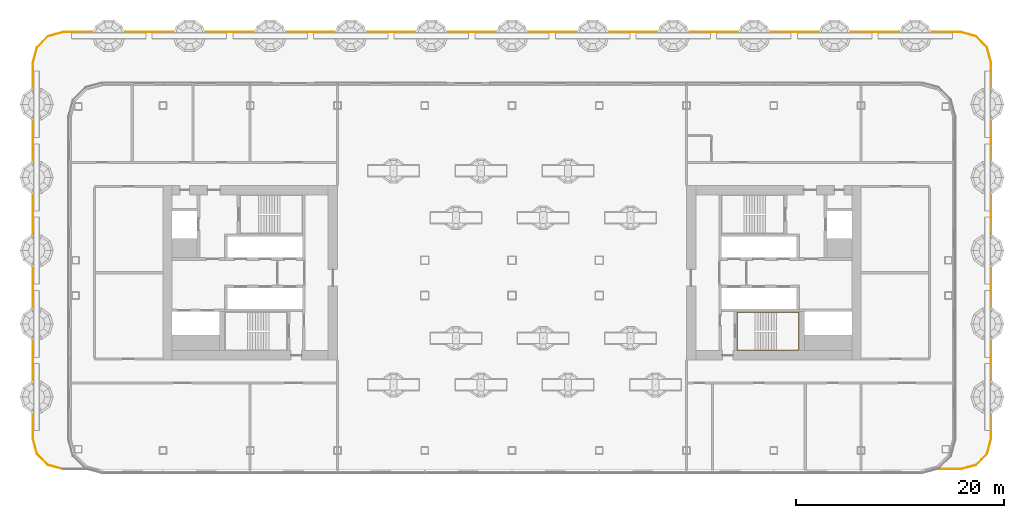
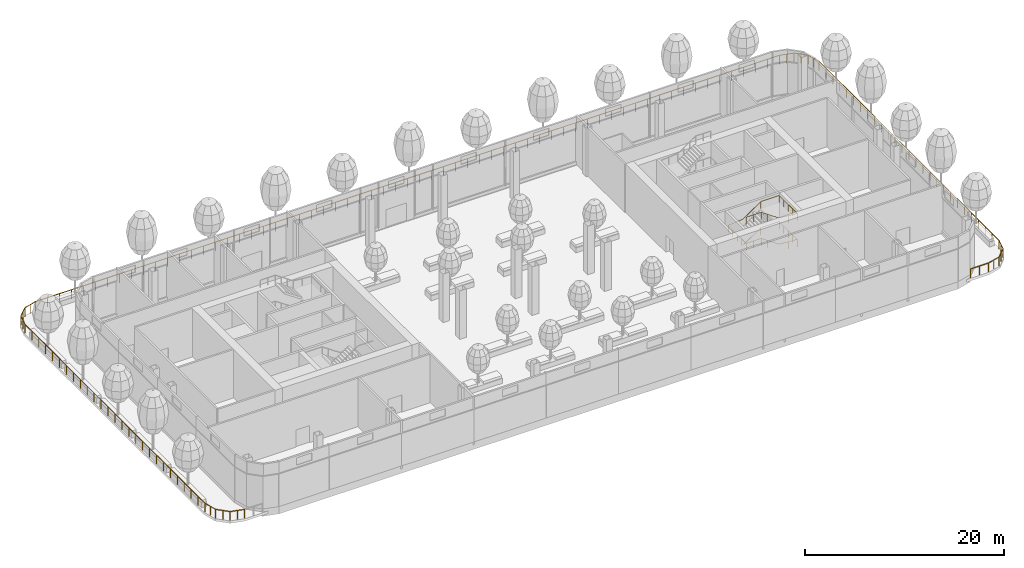
# One storey, part 34 of 43: 2 railings.
"""IFC4 building model written with IfcOpenShell, lengths in metres."""

from ifc_helpers import new_model, si_unit, direction, frame, origin, origin_2d, place, context, subcontext, project, spatial, circle, extrude, material, type_object, element, save


model = new_model("IFC4")

# Units and contexts
model_context = context("Model", 3, precision=1e-05, world=origin(), true_north=direction((0.0, 1.0)))
body_context = subcontext(model_context, "Body", "Model", "MODEL_VIEW")
ifc_project = project(units=[si_unit("LENGTHUNIT", "METRE"), si_unit("AREAUNIT", "SQUARE_METRE"), si_unit("VOLUMEUNIT", "CUBIC_METRE"), si_unit("PLANEANGLEUNIT", "RADIAN"), si_unit("MASSUNIT", "GRAM", prefix="KILO")], contexts=[model_context])

# Site, building, storey
site_placement = place(None, origin())
site = spatial("IfcSite", under=ifc_project, at=site_placement, CompositionType="ELEMENT")
building_placement = place(site_placement, origin())
building = spatial("IfcBuilding", under=site, at=building_placement, Name="Hakoniwa Tower and Hamabe Station Hall", CompositionType="ELEMENT")
storey_placement = place(building_placement, frame((0.0, 0.0, 124.60009765625)))
storey = spatial("IfcBuildingStorey", under=building, at=storey_placement, Name="L35", CompositionType="ELEMENT", Elevation=124.60009765625)

# Railings
ifc_material_1 = material(Name="Stainless steel SUS304", Category="steel")
railing_type_1 = type_object("IfcRailingType", Name="STAIR HANDRAIL 900", PredefinedType="HANDRAIL", material=ifc_material_1)
railing_1_placement = place(storey_placement, frame((23.39990234375, -3.81005859375, 0.177734375)))
element("IfcRailing", 1, at=railing_1_placement, inside=storey, type_object=railing_type_1, Name="Handrail ST-4 L35 1", PredefinedType="HANDRAIL", context=body_context, shape_type="SweptSolid", body=[
    extrude(circle(Radius=0.02392578125, at=origin_2d()), frame((0.0, 0.0, 0.8759765625), z_axis=(0.82550921652, 0.0, 0.564388636881), x_axis=(0.0, 1.0, 0.0)), (0.0, 0.0, 1.0), 2.519775390625),
    extrude(circle(Radius=0.02392578125, at=origin_2d()), frame((2.080078125, 0.0, 2.2978515625), z_axis=(1.0, 0.0, 0.0), x_axis=(0.0, 1.0, 0.0)), (0.0, 0.0, 1.0), 2.110107421875),
    extrude(circle(Radius=0.02392578125, at=origin_2d()), frame((4.190185546875, 0.0, 2.2978515625), z_axis=(0.0, -1.0, 0.0), x_axis=(1.0, 0.0, 0.0)), (0.0, 0.0, 1.0), 3.6298828125),
    extrude(circle(Radius=0.02392578125, at=origin_2d()), frame((4.190185546875, -3.6298828125, 2.2978515625), z_axis=(-0.996471417081, 0.0, 0.083932800143), x_axis=(0.0, -1.0, 0.0)), (0.0, 0.0, 1.0), 2.11767578125),
    extrude(circle(Radius=0.02392578125, at=origin_2d()), frame((2.080078125, -3.6298828125, 2.4755859375), z_axis=(-0.825464074169, 0.0, 0.564454659168), x_axis=(0.0, -1.0, 0.0)), (0.0, 0.0, 1.0), 2.519775390625),
    extrude(circle(Radius=0.02392578125, at=origin_2d()), frame((0.0, -3.6298828125, 3.89794921875), z_axis=(-1.0, 0.0, 0.0), x_axis=(0.0, -1.0, 0.0)), (0.0, 0.0, 1.0), 1.739990234375),
    extrude(circle(Radius=0.02392578125, at=origin_2d()), frame((-1.739990234375, -3.6298828125, 3.89794921875), z_axis=(0.0, 1.0, 0.0), x_axis=(-1.0, 0.0, 0.0)), (0.0, 0.0, 1.0), 3.6298828125),
    extrude(circle(Radius=0.02392578125, at=origin_2d()), frame((-1.739990234375, 0.0, 3.89794921875), z_axis=(0.994823492686, 0.0, 0.10161800234), x_axis=(0.0, 1.0, 0.0)), (0.0, 0.0, 1.0), 1.7490234375),
    extrude(circle(Radius=0.02392578125, at=origin_2d()), frame((0.0, 0.0, 4.07568359375), z_axis=(0.82550921652, 0.0, 0.564388636881), x_axis=(0.0, 1.0, 0.0)), (0.0, 0.0, 1.0), 2.519775390625),
    extrude(circle(Radius=0.02392578125, at=origin_2d()), frame((2.080078125, 0.0, 5.498046875), z_axis=(1.0, 0.0, 0.0), x_axis=(0.0, 1.0, 0.0)), (0.0, 0.0, 1.0), 2.110107421875),
    extrude(circle(Radius=0.02392578125, at=origin_2d()), frame((4.190185546875, 0.0, 5.498046875), z_axis=(0.0, -1.0, 0.0), x_axis=(1.0, 0.0, 0.0)), (0.0, 0.0, 1.0), 3.6298828125),
    extrude(circle(Radius=0.02392578125, at=origin_2d()), frame((4.190185546875, -3.6298828125, 5.498046875), z_axis=(-0.996461767938, 0.0, 0.084047278587), x_axis=(0.0, -1.0, 0.0)), (0.0, 0.0, 1.0), 2.11767578125),
    extrude(circle(Radius=0.02392578125, at=origin_2d()), frame((2.080078125, -3.6298828125, 5.67578125), z_axis=(-0.82550921652, 0.0, 0.564388636881), x_axis=(0.0, -1.0, 0.0)), (0.0, 0.0, 1.0), 2.519775390625),
    extrude(circle(Radius=0.02392578125, at=origin_2d()), frame((0.0, -3.6298828125, 7.09814453125), z_axis=(-1.0, 0.0, 0.0), x_axis=(0.0, -1.0, 0.0)), (0.0, 0.0, 1.0), 1.739990234375),
    extrude(circle(Radius=0.02099609375, at=origin_2d()), origin(), (0.0, 0.0, 1.0), 0.851806640625),
    extrude(circle(Radius=0.02099609375, at=origin_2d()), frame((0.693359375, 0.0, 0.47412109375)), (0.0, 0.0, 1.0), 0.851806640625),
    extrude(circle(Radius=0.02099609375, at=origin_2d()), frame((1.38671875, 0.0, 0.947998046875)), (0.0, 0.0, 1.0), 0.851806640625),
    extrude(circle(Radius=0.02099609375, at=origin_2d()), frame((2.080078125, 0.0, 1.422119140625)), (0.0, 0.0, 1.0), 0.851806640625),
    extrude(circle(Radius=0.02099609375, at=origin_2d()), frame((3.13525390625, 0.0, 1.422119140625)), (0.0, 0.0, 1.0), 0.851806640625),
    extrude(circle(Radius=0.02099609375, at=origin_2d()), frame((4.190185546875, 0.0, 1.422119140625)), (0.0, 0.0, 1.0), 0.851806640625),
    extrude(circle(Radius=0.02099609375, at=origin_2d()), frame((4.190185546875, -0.907470703125, 1.422119140625)), (0.0, 0.0, 1.0), 0.851806640625),
    extrude(circle(Radius=0.02099609375, at=origin_2d()), frame((4.190185546875, -1.81494140625, 1.422119140625)), (0.0, 0.0, 1.0), 0.851806640625),
    extrude(circle(Radius=0.02099609375, at=origin_2d()), frame((4.190185546875, -2.722412109375, 1.422119140625)), (0.0, 0.0, 1.0), 0.851806640625),
    extrude(circle(Radius=0.02099609375, at=origin_2d()), frame((4.190185546875, -3.6298828125, 1.422119140625)), (0.0, 0.0, 1.0), 0.851806640625),
    extrude(circle(Radius=0.02099609375, at=origin_2d()), frame((3.13525390625, -3.6298828125, 1.510986328125)), (0.0, 0.0, 1.0), 0.851806640625),
    extrude(circle(Radius=0.02099609375, at=origin_2d()), frame((2.080078125, -3.6298828125, 1.599853515625)), (0.0, 0.0, 1.0), 0.851806640625),
    extrude(circle(Radius=0.02099609375, at=origin_2d()), frame((1.38671875, -3.6298828125, 2.073974609375)), (0.0, 0.0, 1.0), 0.851806640625),
    extrude(circle(Radius=0.02099609375, at=origin_2d()), frame((0.693359375, -3.6298828125, 2.548095703125)), (0.0, 0.0, 1.0), 0.851806640625),
    extrude(circle(Radius=0.02099609375, at=origin_2d()), frame((0.0, -3.6298828125, 3.022216796875)), (0.0, 0.0, 1.0), 0.851806640625),
    extrude(circle(Radius=0.02099609375, at=origin_2d()), frame((-0.8701171875, -3.6298828125, 3.022216796875)), (0.0, 0.0, 1.0), 0.851806640625),
    extrude(circle(Radius=0.02099609375, at=origin_2d()), frame((-1.739990234375, -3.6298828125, 3.022216796875)), (0.0, 0.0, 1.0), 0.851806640625),
    extrude(circle(Radius=0.02099609375, at=origin_2d()), frame((-1.739990234375, -2.722412109375, 3.022216796875)), (0.0, 0.0, 1.0), 0.851806640625),
    extrude(circle(Radius=0.02099609375, at=origin_2d()), frame((-1.739990234375, -1.81494140625, 3.022216796875)), (0.0, 0.0, 1.0), 0.851806640625),
    extrude(circle(Radius=0.02099609375, at=origin_2d()), frame((-1.739990234375, -0.907470703125, 3.022216796875)), (0.0, 0.0, 1.0), 0.851806640625),
    extrude(circle(Radius=0.02099609375, at=origin_2d()), frame((-1.739990234375, 0.0, 3.022216796875)), (0.0, 0.0, 1.0), 0.851806640625),
    extrude(circle(Radius=0.02099609375, at=origin_2d()), frame((-0.8701171875, 0.0, 3.111083984375)), (0.0, 0.0, 1.0), 0.851806640625),
    extrude(circle(Radius=0.02099609375, at=origin_2d()), frame((0.0, 0.0, 3.199951171875)), (0.0, 0.0, 1.0), 0.851806640625),
    extrude(circle(Radius=0.02099609375, at=origin_2d()), frame((0.693359375, 0.0, 3.674072265625)), (0.0, 0.0, 1.0), 0.851806640625),
    extrude(circle(Radius=0.02099609375, at=origin_2d()), frame((1.38671875, 0.0, 4.14794921875)), (0.0, 0.0, 1.0), 0.851806640625),
    extrude(circle(Radius=0.02099609375, at=origin_2d()), frame((2.080078125, 0.0, 4.6220703125)), (0.0, 0.0, 1.0), 0.851806640625),
    extrude(circle(Radius=0.02099609375, at=origin_2d()), frame((3.13525390625, 0.0, 4.6220703125)), (0.0, 0.0, 1.0), 0.851806640625),
    extrude(circle(Radius=0.02099609375, at=origin_2d()), frame((4.190185546875, 0.0, 4.6220703125)), (0.0, 0.0, 1.0), 0.851806640625),
    extrude(circle(Radius=0.02099609375, at=origin_2d()), frame((4.190185546875, -0.907470703125, 4.6220703125)), (0.0, 0.0, 1.0), 0.851806640625),
    extrude(circle(Radius=0.02099609375, at=origin_2d()), frame((4.190185546875, -1.81494140625, 4.6220703125)), (0.0, 0.0, 1.0), 0.851806640625),
    extrude(circle(Radius=0.02099609375, at=origin_2d()), frame((4.190185546875, -2.722412109375, 4.6220703125)), (0.0, 0.0, 1.0), 0.851806640625),
    extrude(circle(Radius=0.02099609375, at=origin_2d()), frame((4.190185546875, -3.6298828125, 4.6220703125)), (0.0, 0.0, 1.0), 0.851806640625),
    extrude(circle(Radius=0.02099609375, at=origin_2d()), frame((3.13525390625, -3.6298828125, 4.7109375)), (0.0, 0.0, 1.0), 0.851806640625),
    extrude(circle(Radius=0.02099609375, at=origin_2d()), frame((2.080078125, -3.6298828125, 4.800048828125)), (0.0, 0.0, 1.0), 0.851806640625),
    extrude(circle(Radius=0.02099609375, at=origin_2d()), frame((1.38671875, -3.6298828125, 5.274169921875)), (0.0, 0.0, 1.0), 0.851806640625),
    extrude(circle(Radius=0.02099609375, at=origin_2d()), frame((0.693359375, -3.6298828125, 5.748046875)), (0.0, 0.0, 1.0), 0.851806640625),
    extrude(circle(Radius=0.02099609375, at=origin_2d()), frame((0.0, -3.6298828125, 6.22216796875)), (0.0, 0.0, 1.0), 0.851806640625),
    extrude(circle(Radius=0.02099609375, at=origin_2d()), frame((-0.8701171875, -3.6298828125, 6.22216796875)), (0.0, 0.0, 1.0), 0.851806640625),
    extrude(circle(Radius=0.02099609375, at=origin_2d()), frame((-1.739990234375, -3.6298828125, 6.22216796875)), (0.0, 0.0, 1.0), 0.851806640625),
])
ifc_material_2 = material(Name="Stainless steel and laminated glass", Category="steel")
railing_type_2 = type_object("IfcRailingType", Name="TERRACE BALUSTRADE 1100", PredefinedType="BALUSTRADE", material=ifc_material_2)
railing_2_placement = place(storey_placement, frame((41.099853515625, -18.90087890625, 0.0)))
element("IfcRailing", 2, at=railing_2_placement, inside=storey, type_object=railing_type_2, Name="Terrace balustrade", PredefinedType="BALUSTRADE", context=body_context, shape_type="SweptSolid", body=[
    extrude(circle(Radius=0.02392578125, at=origin_2d()), frame((0.0, 0.0, 1.076171875), z_axis=(1.0, 0.0, 0.0), x_axis=(0.0, 1.0, 0.0)), (0.0, 0.0, 1.0), 2.087158203125),
    extrude(circle(Radius=0.02392578125, at=origin_2d()), frame((2.087158203125, 0.0, 1.076171875), z_axis=(0.965934369252, 0.258787160227, 0.0), x_axis=(-0.258787160227, 0.965934369252, 0.0)), (0.0, 0.0, 1.0), 1.51318359375),
    extrude(circle(Radius=0.02392578125, at=origin_2d()), frame((3.548828125, 0.3916015625, 1.076171875), z_axis=(0.707106781187, 0.707106781187, 0.0), x_axis=(-0.707106781187, 0.707106781187, 0.0)), (0.0, 0.0, 1.0), 1.499755859375),
    extrude(circle(Radius=0.02392578125, at=origin_2d()), frame((4.609375, 1.4521484375, 1.076171875), z_axis=(0.258897340379, 0.965904843732, 0.0), x_axis=(-0.965904843732, 0.258897340379, 0.0)), (0.0, 0.0, 1.0), 1.513427734375),
    extrude(circle(Radius=0.02392578125, at=origin_2d()), frame((5.001220703125, 2.9140625, 1.076171875), z_axis=(0.0, 1.0, 0.0), x_axis=(-1.0, 0.0, 0.0)), (0.0, 0.0, 1.0), 36.2236328125),
    extrude(circle(Radius=0.02392578125, at=origin_2d()), frame((5.001220703125, 39.1376953125, 1.076171875), z_axis=(-0.258897340379, 0.965904843732, 0.0), x_axis=(-0.965904843732, -0.258897340379, 0.0)), (0.0, 0.0, 1.0), 1.513427734375),
    extrude(circle(Radius=0.02392578125, at=origin_2d()), frame((4.609375, 40.599609375, 1.076171875), z_axis=(-0.707106781187, 0.707106781187, 0.0), x_axis=(-0.707106781187, -0.707106781187, 0.0)), (0.0, 0.0, 1.0), 1.499755859375),
    extrude(circle(Radius=0.02392578125, at=origin_2d()), frame((3.548828125, 41.66015625, 1.076171875), z_axis=(-0.965945171702, 0.258746836241, 0.0), x_axis=(-0.258746836241, -0.965945171702, 0.0)), (0.0, 0.0, 1.0), 1.513427734375),
    extrude(circle(Radius=0.02392578125, at=origin_2d()), frame((2.0869140625, 42.0517578125, 1.076171875), z_axis=(-1.0, 0.0, 0.0), x_axis=(0.0, -1.0, 0.0)), (0.0, 0.0, 1.0), 86.37353515625),
    extrude(circle(Radius=0.02392578125, at=origin_2d()), frame((-84.28662109375, 42.0517578125, 1.076171875), z_axis=(-0.965945171702, -0.258746836241, 0.0), x_axis=(0.258746836241, -0.965945171702, 0.0)), (0.0, 0.0, 1.0), 1.513427734375),
    extrude(circle(Radius=0.02392578125, at=origin_2d()), frame((-85.74853515625, 41.66015625, 1.076171875), z_axis=(-0.707106781187, -0.707106781187, 0.0), x_axis=(0.707106781187, -0.707106781187, 0.0)), (0.0, 0.0, 1.0), 1.499755859375),
    extrude(circle(Radius=0.02392578125, at=origin_2d()), frame((-86.80908203125, 40.599609375, 1.076171875), z_axis=(-0.258897340379, -0.965904843732, 0.0), x_axis=(0.965904843732, -0.258897340379, 0.0)), (0.0, 0.0, 1.0), 1.513427734375),
    extrude(circle(Radius=0.02392578125, at=origin_2d()), frame((-87.200927734375, 39.1376953125, 1.076171875), z_axis=(0.0, -1.0, 0.0), x_axis=(1.0, 0.0, 0.0)), (0.0, 0.0, 1.0), 36.2236328125),
    extrude(circle(Radius=0.02392578125, at=origin_2d()), frame((-87.200927734375, 2.9140625, 1.076171875), z_axis=(0.258857008426, -0.965915653248, 0.0), x_axis=(0.965915653248, 0.258857008426, 0.0)), (0.0, 0.0, 1.0), 1.513671875),
    extrude(circle(Radius=0.02392578125, at=origin_2d()), frame((-86.80908203125, 1.451904296875, 1.076171875), z_axis=(0.707188174772, -0.707025378231, 0.0), x_axis=(0.707025378231, 0.707188174772, 0.0)), (0.0, 0.0, 1.0), 1.499755859375),
    extrude(circle(Radius=0.02392578125, at=origin_2d()), frame((-85.74853515625, 0.3916015625, 1.076171875), z_axis=(0.965945171702, -0.258746836241, 0.0), x_axis=(0.258746836241, 0.965945171702, 0.0)), (0.0, 0.0, 1.0), 1.513427734375),
    extrude(circle(Radius=0.02099609375, at=origin_2d()), origin(), (0.0, 0.0, 1.0), 1.052001953125),
    extrude(circle(Radius=0.02099609375, at=origin_2d()), frame((1.04345703125, 0.0, 0.0)), (0.0, 0.0, 1.0), 1.052001953125),
    extrude(circle(Radius=0.02099609375, at=origin_2d()), frame((2.087158203125, 0.0, 0.0)), (0.0, 0.0, 1.0), 1.052001953125),
    extrude(circle(Radius=0.02099609375, at=origin_2d()), frame((2.81787109375, 0.19580078125, 0.0)), (0.0, 0.0, 1.0), 1.052001953125),
    extrude(circle(Radius=0.02099609375, at=origin_2d()), frame((3.548828125, 0.3916015625, 0.0)), (0.0, 0.0, 1.0), 1.052001953125),
    extrude(circle(Radius=0.02099609375, at=origin_2d()), frame((4.0791015625, 0.921875, 0.0)), (0.0, 0.0, 1.0), 1.052001953125),
    extrude(circle(Radius=0.02099609375, at=origin_2d()), frame((4.609375, 1.4521484375, 0.0)), (0.0, 0.0, 1.0), 1.052001953125),
    extrude(circle(Radius=0.02099609375, at=origin_2d()), frame((4.80517578125, 2.18310546875, 0.0)), (0.0, 0.0, 1.0), 1.052001953125),
    extrude(circle(Radius=0.02099609375, at=origin_2d()), frame((5.001220703125, 2.9140625, 0.0)), (0.0, 0.0, 1.0), 1.052001953125),
    extrude(circle(Radius=0.02099609375, at=origin_2d()), frame((5.001220703125, 4.307373046875, 0.0)), (0.0, 0.0, 1.0), 1.052001953125),
    extrude(circle(Radius=0.02099609375, at=origin_2d()), frame((5.001220703125, 5.700439453125, 0.0)), (0.0, 0.0, 1.0), 1.052001953125),
    extrude(circle(Radius=0.02099609375, at=origin_2d()), frame((5.001220703125, 7.09375, 0.0)), (0.0, 0.0, 1.0), 1.052001953125),
    extrude(circle(Radius=0.02099609375, at=origin_2d()), frame((5.001220703125, 8.48681640625, 0.0)), (0.0, 0.0, 1.0), 1.052001953125),
    extrude(circle(Radius=0.02099609375, at=origin_2d()), frame((5.001220703125, 9.880126953125, 0.0)), (0.0, 0.0, 1.0), 1.052001953125),
    extrude(circle(Radius=0.02099609375, at=origin_2d()), frame((5.001220703125, 11.2734375, 0.0)), (0.0, 0.0, 1.0), 1.052001953125),
    extrude(circle(Radius=0.02099609375, at=origin_2d()), frame((5.001220703125, 12.66650390625, 0.0)), (0.0, 0.0, 1.0), 1.052001953125),
    extrude(circle(Radius=0.02099609375, at=origin_2d()), frame((5.001220703125, 14.059814453125, 0.0)), (0.0, 0.0, 1.0), 1.052001953125),
    extrude(circle(Radius=0.02099609375, at=origin_2d()), frame((5.001220703125, 15.453125, 0.0)), (0.0, 0.0, 1.0), 1.052001953125),
    extrude(circle(Radius=0.02099609375, at=origin_2d()), frame((5.001220703125, 16.84619140625, 0.0)), (0.0, 0.0, 1.0), 1.052001953125),
    extrude(circle(Radius=0.02099609375, at=origin_2d()), frame((5.001220703125, 18.239501953125, 0.0)), (0.0, 0.0, 1.0), 1.052001953125),
    extrude(circle(Radius=0.02099609375, at=origin_2d()), frame((5.001220703125, 19.632568359375, 0.0)), (0.0, 0.0, 1.0), 1.052001953125),
    extrude(circle(Radius=0.02099609375, at=origin_2d()), frame((5.001220703125, 21.02587890625, 0.0)), (0.0, 0.0, 1.0), 1.052001953125),
    extrude(circle(Radius=0.02099609375, at=origin_2d()), frame((5.001220703125, 22.419189453125, 0.0)), (0.0, 0.0, 1.0), 1.052001953125),
    extrude(circle(Radius=0.02099609375, at=origin_2d()), frame((5.001220703125, 23.812255859375, 0.0)), (0.0, 0.0, 1.0), 1.052001953125),
    extrude(circle(Radius=0.02099609375, at=origin_2d()), frame((5.001220703125, 25.20556640625, 0.0)), (0.0, 0.0, 1.0), 1.052001953125),
    extrude(circle(Radius=0.02099609375, at=origin_2d()), frame((5.001220703125, 26.5986328125, 0.0)), (0.0, 0.0, 1.0), 1.052001953125),
    extrude(circle(Radius=0.02099609375, at=origin_2d()), frame((5.001220703125, 27.991943359375, 0.0)), (0.0, 0.0, 1.0), 1.052001953125),
    extrude(circle(Radius=0.02099609375, at=origin_2d()), frame((5.001220703125, 29.38525390625, 0.0)), (0.0, 0.0, 1.0), 1.052001953125),
    extrude(circle(Radius=0.02099609375, at=origin_2d()), frame((5.001220703125, 30.7783203125, 0.0)), (0.0, 0.0, 1.0), 1.052001953125),
    extrude(circle(Radius=0.02099609375, at=origin_2d()), frame((5.001220703125, 32.171630859375, 0.0)), (0.0, 0.0, 1.0), 1.052001953125),
    extrude(circle(Radius=0.02099609375, at=origin_2d()), frame((5.001220703125, 33.56494140625, 0.0)), (0.0, 0.0, 1.0), 1.052001953125),
    extrude(circle(Radius=0.02099609375, at=origin_2d()), frame((5.001220703125, 34.9580078125, 0.0)), (0.0, 0.0, 1.0), 1.052001953125),
    extrude(circle(Radius=0.02099609375, at=origin_2d()), frame((5.001220703125, 36.351318359375, 0.0)), (0.0, 0.0, 1.0), 1.052001953125),
    extrude(circle(Radius=0.02099609375, at=origin_2d()), frame((5.001220703125, 37.744384765625, 0.0)), (0.0, 0.0, 1.0), 1.052001953125),
    extrude(circle(Radius=0.02099609375, at=origin_2d()), frame((5.001220703125, 39.1376953125, 0.0)), (0.0, 0.0, 1.0), 1.052001953125),
    extrude(circle(Radius=0.02099609375, at=origin_2d()), frame((4.80517578125, 39.86865234375, 0.0)), (0.0, 0.0, 1.0), 1.052001953125),
    extrude(circle(Radius=0.02099609375, at=origin_2d()), frame((4.609375, 40.599609375, 0.0)), (0.0, 0.0, 1.0), 1.052001953125),
    extrude(circle(Radius=0.02099609375, at=origin_2d()), frame((4.0791015625, 41.1298828125, 0.0)), (0.0, 0.0, 1.0), 1.052001953125),
    extrude(circle(Radius=0.02099609375, at=origin_2d()), frame((3.548828125, 41.66015625, 0.0)), (0.0, 0.0, 1.0), 1.052001953125),
    extrude(circle(Radius=0.02099609375, at=origin_2d()), frame((2.81787109375, 41.85595703125, 0.0)), (0.0, 0.0, 1.0), 1.052001953125),
    extrude(circle(Radius=0.02099609375, at=origin_2d()), frame((2.0869140625, 42.0517578125, 0.0)), (0.0, 0.0, 1.0), 1.052001953125),
    extrude(circle(Radius=0.02099609375, at=origin_2d()), frame((0.69384765625, 42.0517578125, 0.0)), (0.0, 0.0, 1.0), 1.052001953125),
    extrude(circle(Radius=0.02099609375, at=origin_2d()), frame((-0.69921875, 42.0517578125, 0.0)), (0.0, 0.0, 1.0), 1.052001953125),
    extrude(circle(Radius=0.02099609375, at=origin_2d()), frame((-2.092529296875, 42.0517578125, 0.0)), (0.0, 0.0, 1.0), 1.052001953125),
    extrude(circle(Radius=0.02099609375, at=origin_2d()), frame((-3.485595703125, 42.0517578125, 0.0)), (0.0, 0.0, 1.0), 1.052001953125),
    extrude(circle(Radius=0.02099609375, at=origin_2d()), frame((-4.878662109375, 42.0517578125, 0.0)), (0.0, 0.0, 1.0), 1.052001953125),
    extrude(circle(Radius=0.02099609375, at=origin_2d()), frame((-6.271728515625, 42.0517578125, 0.0)), (0.0, 0.0, 1.0), 1.052001953125),
    extrude(circle(Radius=0.02099609375, at=origin_2d()), frame((-7.6650390625, 42.0517578125, 0.0)), (0.0, 0.0, 1.0), 1.052001953125),
    extrude(circle(Radius=0.02099609375, at=origin_2d()), frame((-9.05810546875, 42.0517578125, 0.0)), (0.0, 0.0, 1.0), 1.052001953125),
    extrude(circle(Radius=0.02099609375, at=origin_2d()), frame((-10.451171875, 42.0517578125, 0.0)), (0.0, 0.0, 1.0), 1.052001953125),
    extrude(circle(Radius=0.02099609375, at=origin_2d()), frame((-11.84423828125, 42.0517578125, 0.0)), (0.0, 0.0, 1.0), 1.052001953125),
    extrude(circle(Radius=0.02099609375, at=origin_2d()), frame((-13.2373046875, 42.0517578125, 0.0)), (0.0, 0.0, 1.0), 1.052001953125),
    extrude(circle(Radius=0.02099609375, at=origin_2d()), frame((-14.630615234375, 42.0517578125, 0.0)), (0.0, 0.0, 1.0), 1.052001953125),
    extrude(circle(Radius=0.02099609375, at=origin_2d()), frame((-16.023681640625, 42.0517578125, 0.0)), (0.0, 0.0, 1.0), 1.052001953125),
    extrude(circle(Radius=0.02099609375, at=origin_2d()), frame((-17.416748046875, 42.0517578125, 0.0)), (0.0, 0.0, 1.0), 1.052001953125),
    extrude(circle(Radius=0.02099609375, at=origin_2d()), frame((-18.809814453125, 42.0517578125, 0.0)), (0.0, 0.0, 1.0), 1.052001953125),
    extrude(circle(Radius=0.02099609375, at=origin_2d()), frame((-20.203125, 42.0517578125, 0.0)), (0.0, 0.0, 1.0), 1.052001953125),
    extrude(circle(Radius=0.02099609375, at=origin_2d()), frame((-21.59619140625, 42.0517578125, 0.0)), (0.0, 0.0, 1.0), 1.052001953125),
    extrude(circle(Radius=0.02099609375, at=origin_2d()), frame((-22.9892578125, 42.0517578125, 0.0)), (0.0, 0.0, 1.0), 1.052001953125),
    extrude(circle(Radius=0.02099609375, at=origin_2d()), frame((-24.38232421875, 42.0517578125, 0.0)), (0.0, 0.0, 1.0), 1.052001953125),
    extrude(circle(Radius=0.02099609375, at=origin_2d()), frame((-25.775634765625, 42.0517578125, 0.0)), (0.0, 0.0, 1.0), 1.052001953125),
    extrude(circle(Radius=0.02099609375, at=origin_2d()), frame((-27.168701171875, 42.0517578125, 0.0)), (0.0, 0.0, 1.0), 1.052001953125),
    extrude(circle(Radius=0.02099609375, at=origin_2d()), frame((-28.561767578125, 42.0517578125, 0.0)), (0.0, 0.0, 1.0), 1.052001953125),
    extrude(circle(Radius=0.02099609375, at=origin_2d()), frame((-29.954833984375, 42.0517578125, 0.0)), (0.0, 0.0, 1.0), 1.052001953125),
    extrude(circle(Radius=0.02099609375, at=origin_2d()), frame((-31.347900390625, 42.0517578125, 0.0)), (0.0, 0.0, 1.0), 1.052001953125),
    extrude(circle(Radius=0.02099609375, at=origin_2d()), frame((-32.7412109375, 42.0517578125, 0.0)), (0.0, 0.0, 1.0), 1.052001953125),
    extrude(circle(Radius=0.02099609375, at=origin_2d()), frame((-34.13427734375, 42.0517578125, 0.0)), (0.0, 0.0, 1.0), 1.052001953125),
    extrude(circle(Radius=0.02099609375, at=origin_2d()), frame((-35.52734375, 42.0517578125, 0.0)), (0.0, 0.0, 1.0), 1.052001953125),
    extrude(circle(Radius=0.02099609375, at=origin_2d()), frame((-36.92041015625, 42.0517578125, 0.0)), (0.0, 0.0, 1.0), 1.052001953125),
    extrude(circle(Radius=0.02099609375, at=origin_2d()), frame((-38.313720703125, 42.0517578125, 0.0)), (0.0, 0.0, 1.0), 1.052001953125),
    extrude(circle(Radius=0.02099609375, at=origin_2d()), frame((-39.706787109375, 42.0517578125, 0.0)), (0.0, 0.0, 1.0), 1.052001953125),
    extrude(circle(Radius=0.02099609375, at=origin_2d()), frame((-41.099853515625, 42.0517578125, 0.0)), (0.0, 0.0, 1.0), 1.052001953125),
    extrude(circle(Radius=0.02099609375, at=origin_2d()), frame((-42.492919921875, 42.0517578125, 0.0)), (0.0, 0.0, 1.0), 1.052001953125),
    extrude(circle(Radius=0.02099609375, at=origin_2d()), frame((-43.885986328125, 42.0517578125, 0.0)), (0.0, 0.0, 1.0), 1.052001953125),
    extrude(circle(Radius=0.02099609375, at=origin_2d()), frame((-45.279296875, 42.0517578125, 0.0)), (0.0, 0.0, 1.0), 1.052001953125),
    extrude(circle(Radius=0.02099609375, at=origin_2d()), frame((-46.67236328125, 42.0517578125, 0.0)), (0.0, 0.0, 1.0), 1.052001953125),
    extrude(circle(Radius=0.02099609375, at=origin_2d()), frame((-48.0654296875, 42.0517578125, 0.0)), (0.0, 0.0, 1.0), 1.052001953125),
    extrude(circle(Radius=0.02099609375, at=origin_2d()), frame((-49.45849609375, 42.0517578125, 0.0)), (0.0, 0.0, 1.0), 1.052001953125),
    extrude(circle(Radius=0.02099609375, at=origin_2d()), frame((-50.851806640625, 42.0517578125, 0.0)), (0.0, 0.0, 1.0), 1.052001953125),
    extrude(circle(Radius=0.02099609375, at=origin_2d()), frame((-52.244873046875, 42.0517578125, 0.0)), (0.0, 0.0, 1.0), 1.052001953125),
    extrude(circle(Radius=0.02099609375, at=origin_2d()), frame((-53.637939453125, 42.0517578125, 0.0)), (0.0, 0.0, 1.0), 1.052001953125),
    extrude(circle(Radius=0.02099609375, at=origin_2d()), frame((-55.031005859375, 42.0517578125, 0.0)), (0.0, 0.0, 1.0), 1.052001953125),
    extrude(circle(Radius=0.02099609375, at=origin_2d()), frame((-56.424072265625, 42.0517578125, 0.0)), (0.0, 0.0, 1.0), 1.052001953125),
    extrude(circle(Radius=0.02099609375, at=origin_2d()), frame((-57.8173828125, 42.0517578125, 0.0)), (0.0, 0.0, 1.0), 1.052001953125),
    extrude(circle(Radius=0.02099609375, at=origin_2d()), frame((-59.21044921875, 42.0517578125, 0.0)), (0.0, 0.0, 1.0), 1.052001953125),
    extrude(circle(Radius=0.02099609375, at=origin_2d()), frame((-60.603515625, 42.0517578125, 0.0)), (0.0, 0.0, 1.0), 1.052001953125),
    extrude(circle(Radius=0.02099609375, at=origin_2d()), frame((-61.99658203125, 42.0517578125, 0.0)), (0.0, 0.0, 1.0), 1.052001953125),
    extrude(circle(Radius=0.02099609375, at=origin_2d()), frame((-63.389892578125, 42.0517578125, 0.0)), (0.0, 0.0, 1.0), 1.052001953125),
    extrude(circle(Radius=0.02099609375, at=origin_2d()), frame((-64.782958984375, 42.0517578125, 0.0)), (0.0, 0.0, 1.0), 1.052001953125),
    extrude(circle(Radius=0.02099609375, at=origin_2d()), frame((-66.176025390625, 42.0517578125, 0.0)), (0.0, 0.0, 1.0), 1.052001953125),
    extrude(circle(Radius=0.02099609375, at=origin_2d()), frame((-67.569091796875, 42.0517578125, 0.0)), (0.0, 0.0, 1.0), 1.052001953125),
    extrude(circle(Radius=0.02099609375, at=origin_2d()), frame((-68.96240234375, 42.0517578125, 0.0)), (0.0, 0.0, 1.0), 1.052001953125),
    extrude(circle(Radius=0.02099609375, at=origin_2d()), frame((-70.35546875, 42.0517578125, 0.0)), (0.0, 0.0, 1.0), 1.052001953125),
    extrude(circle(Radius=0.02099609375, at=origin_2d()), frame((-71.74853515625, 42.0517578125, 0.0)), (0.0, 0.0, 1.0), 1.052001953125),
    extrude(circle(Radius=0.02099609375, at=origin_2d()), frame((-73.1416015625, 42.0517578125, 0.0)), (0.0, 0.0, 1.0), 1.052001953125),
    extrude(circle(Radius=0.02099609375, at=origin_2d()), frame((-74.53466796875, 42.0517578125, 0.0)), (0.0, 0.0, 1.0), 1.052001953125),
    extrude(circle(Radius=0.02099609375, at=origin_2d()), frame((-75.927978515625, 42.0517578125, 0.0)), (0.0, 0.0, 1.0), 1.052001953125),
    extrude(circle(Radius=0.02099609375, at=origin_2d()), frame((-77.321044921875, 42.0517578125, 0.0)), (0.0, 0.0, 1.0), 1.052001953125),
    extrude(circle(Radius=0.02099609375, at=origin_2d()), frame((-78.714111328125, 42.0517578125, 0.0)), (0.0, 0.0, 1.0), 1.052001953125),
    extrude(circle(Radius=0.02099609375, at=origin_2d()), frame((-80.107177734375, 42.0517578125, 0.0)), (0.0, 0.0, 1.0), 1.052001953125),
    extrude(circle(Radius=0.02099609375, at=origin_2d()), frame((-81.50048828125, 42.0517578125, 0.0)), (0.0, 0.0, 1.0), 1.052001953125),
    extrude(circle(Radius=0.02099609375, at=origin_2d()), frame((-82.8935546875, 42.0517578125, 0.0)), (0.0, 0.0, 1.0), 1.052001953125),
    extrude(circle(Radius=0.02099609375, at=origin_2d()), frame((-84.28662109375, 42.0517578125, 0.0)), (0.0, 0.0, 1.0), 1.052001953125),
    extrude(circle(Radius=0.02099609375, at=origin_2d()), frame((-85.017578125, 41.85595703125, 0.0)), (0.0, 0.0, 1.0), 1.052001953125),
    extrude(circle(Radius=0.02099609375, at=origin_2d()), frame((-85.74853515625, 41.66015625, 0.0)), (0.0, 0.0, 1.0), 1.052001953125),
    extrude(circle(Radius=0.02099609375, at=origin_2d()), frame((-86.27880859375, 41.1298828125, 0.0)), (0.0, 0.0, 1.0), 1.052001953125),
    extrude(circle(Radius=0.02099609375, at=origin_2d()), frame((-86.80908203125, 40.599609375, 0.0)), (0.0, 0.0, 1.0), 1.052001953125),
    extrude(circle(Radius=0.02099609375, at=origin_2d()), frame((-87.0048828125, 39.86865234375, 0.0)), (0.0, 0.0, 1.0), 1.052001953125),
    extrude(circle(Radius=0.02099609375, at=origin_2d()), frame((-87.200927734375, 39.1376953125, 0.0)), (0.0, 0.0, 1.0), 1.052001953125),
    extrude(circle(Radius=0.02099609375, at=origin_2d()), frame((-87.200927734375, 37.744384765625, 0.0)), (0.0, 0.0, 1.0), 1.052001953125),
    extrude(circle(Radius=0.02099609375, at=origin_2d()), frame((-87.200927734375, 36.351318359375, 0.0)), (0.0, 0.0, 1.0), 1.052001953125),
    extrude(circle(Radius=0.02099609375, at=origin_2d()), frame((-87.200927734375, 34.9580078125, 0.0)), (0.0, 0.0, 1.0), 1.052001953125),
    extrude(circle(Radius=0.02099609375, at=origin_2d()), frame((-87.200927734375, 33.56494140625, 0.0)), (0.0, 0.0, 1.0), 1.052001953125),
    extrude(circle(Radius=0.02099609375, at=origin_2d()), frame((-87.200927734375, 32.171630859375, 0.0)), (0.0, 0.0, 1.0), 1.052001953125),
    extrude(circle(Radius=0.02099609375, at=origin_2d()), frame((-87.200927734375, 30.7783203125, 0.0)), (0.0, 0.0, 1.0), 1.052001953125),
    extrude(circle(Radius=0.02099609375, at=origin_2d()), frame((-87.200927734375, 29.38525390625, 0.0)), (0.0, 0.0, 1.0), 1.052001953125),
    extrude(circle(Radius=0.02099609375, at=origin_2d()), frame((-87.200927734375, 27.991943359375, 0.0)), (0.0, 0.0, 1.0), 1.052001953125),
    extrude(circle(Radius=0.02099609375, at=origin_2d()), frame((-87.200927734375, 26.5986328125, 0.0)), (0.0, 0.0, 1.0), 1.052001953125),
    extrude(circle(Radius=0.02099609375, at=origin_2d()), frame((-87.200927734375, 25.20556640625, 0.0)), (0.0, 0.0, 1.0), 1.052001953125),
    extrude(circle(Radius=0.02099609375, at=origin_2d()), frame((-87.200927734375, 23.812255859375, 0.0)), (0.0, 0.0, 1.0), 1.052001953125),
    extrude(circle(Radius=0.02099609375, at=origin_2d()), frame((-87.200927734375, 22.419189453125, 0.0)), (0.0, 0.0, 1.0), 1.052001953125),
    extrude(circle(Radius=0.02099609375, at=origin_2d()), frame((-87.200927734375, 21.02587890625, 0.0)), (0.0, 0.0, 1.0), 1.052001953125),
    extrude(circle(Radius=0.02099609375, at=origin_2d()), frame((-87.200927734375, 19.632568359375, 0.0)), (0.0, 0.0, 1.0), 1.052001953125),
    extrude(circle(Radius=0.02099609375, at=origin_2d()), frame((-87.200927734375, 18.239501953125, 0.0)), (0.0, 0.0, 1.0), 1.052001953125),
    extrude(circle(Radius=0.02099609375, at=origin_2d()), frame((-87.200927734375, 16.84619140625, 0.0)), (0.0, 0.0, 1.0), 1.052001953125),
    extrude(circle(Radius=0.02099609375, at=origin_2d()), frame((-87.200927734375, 15.453125, 0.0)), (0.0, 0.0, 1.0), 1.052001953125),
    extrude(circle(Radius=0.02099609375, at=origin_2d()), frame((-87.200927734375, 14.059814453125, 0.0)), (0.0, 0.0, 1.0), 1.052001953125),
    extrude(circle(Radius=0.02099609375, at=origin_2d()), frame((-87.200927734375, 12.66650390625, 0.0)), (0.0, 0.0, 1.0), 1.052001953125),
    extrude(circle(Radius=0.02099609375, at=origin_2d()), frame((-87.200927734375, 11.2734375, 0.0)), (0.0, 0.0, 1.0), 1.052001953125),
    extrude(circle(Radius=0.02099609375, at=origin_2d()), frame((-87.200927734375, 9.880126953125, 0.0)), (0.0, 0.0, 1.0), 1.052001953125),
    extrude(circle(Radius=0.02099609375, at=origin_2d()), frame((-87.200927734375, 8.48681640625, 0.0)), (0.0, 0.0, 1.0), 1.052001953125),
    extrude(circle(Radius=0.02099609375, at=origin_2d()), frame((-87.200927734375, 7.09375, 0.0)), (0.0, 0.0, 1.0), 1.052001953125),
    extrude(circle(Radius=0.02099609375, at=origin_2d()), frame((-87.200927734375, 5.700439453125, 0.0)), (0.0, 0.0, 1.0), 1.052001953125),
    extrude(circle(Radius=0.02099609375, at=origin_2d()), frame((-87.200927734375, 4.307373046875, 0.0)), (0.0, 0.0, 1.0), 1.052001953125),
    extrude(circle(Radius=0.02099609375, at=origin_2d()), frame((-87.200927734375, 2.9140625, 0.0)), (0.0, 0.0, 1.0), 1.052001953125),
    extrude(circle(Radius=0.02099609375, at=origin_2d()), frame((-87.0048828125, 2.18310546875, 0.0)), (0.0, 0.0, 1.0), 1.052001953125),
    extrude(circle(Radius=0.02099609375, at=origin_2d()), frame((-86.80908203125, 1.451904296875, 0.0)), (0.0, 0.0, 1.0), 1.052001953125),
    extrude(circle(Radius=0.02099609375, at=origin_2d()), frame((-86.27880859375, 0.921875, 0.0)), (0.0, 0.0, 1.0), 1.052001953125),
    extrude(circle(Radius=0.02099609375, at=origin_2d()), frame((-85.74853515625, 0.3916015625, 0.0)), (0.0, 0.0, 1.0), 1.052001953125),
    extrude(circle(Radius=0.02099609375, at=origin_2d()), frame((-85.017578125, 0.19580078125, 0.0)), (0.0, 0.0, 1.0), 1.052001953125),
    extrude(circle(Radius=0.02099609375, at=origin_2d()), frame((-84.28662109375, 0.0, 0.0)), (0.0, 0.0, 1.0), 1.052001953125),
])

save(model, "model.ifc")
